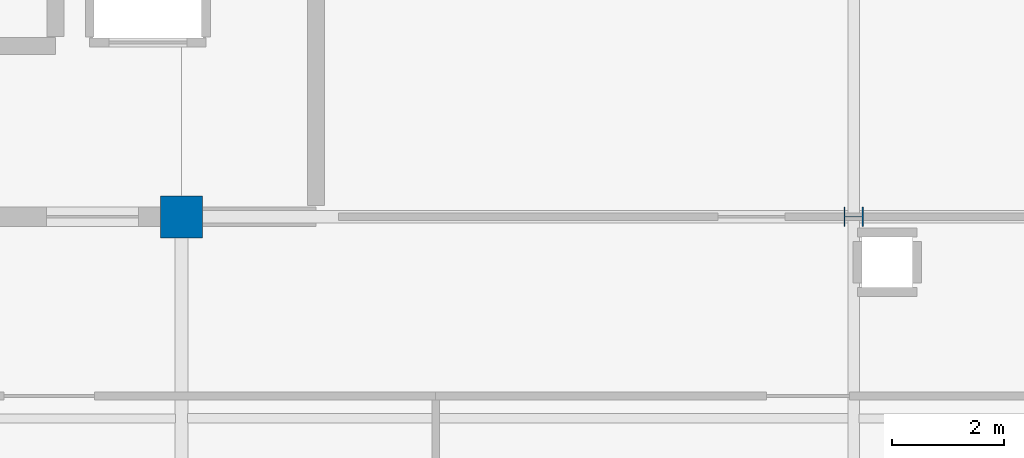
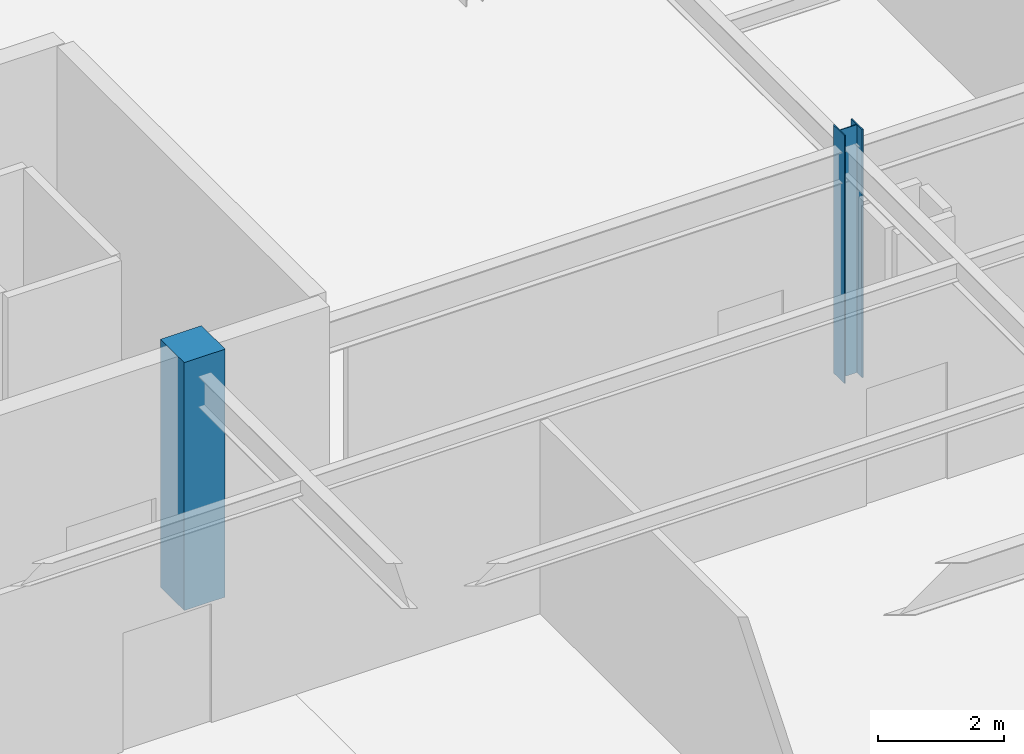
# One storey, part 43 of 226: 2 columns.
"""IFC4 building model written with IfcOpenShell, lengths in metres."""

from ifc_helpers import new_model, si_unit, direction, frame, origin, origin_2d, place, context, subcontext, project, spatial, rectangle, i_section, extrude, material, material_profile, profile_set, type_object, element, save


model = new_model("IFC4")

# Units and contexts
model_context = context("Model", 3, precision=1e-05, world=origin(), true_north=direction((0.0, 1.0)))
body_context = subcontext(model_context, "Body", "Model", "MODEL_VIEW")
ifc_project = project(units=[si_unit("LENGTHUNIT", "METRE"), si_unit("AREAUNIT", "SQUARE_METRE"), si_unit("VOLUMEUNIT", "CUBIC_METRE"), si_unit("PLANEANGLEUNIT", "RADIAN"), si_unit("MASSUNIT", "GRAM", prefix="KILO")], contexts=[model_context])

# Site, building, storey
site_placement = place(None, origin())
site = spatial("IfcSite", under=ifc_project, at=site_placement, CompositionType="ELEMENT")
building_placement = place(site_placement, origin())
building = spatial("IfcBuilding", under=site, at=building_placement, Name="Tarnwether General Hospital", CompositionType="ELEMENT")
storey_placement = place(building_placement, frame((0.0, 0.0, 4.800048828125)))
storey = spatial("IfcBuildingStorey", under=building, at=storey_placement, Name="L01", CompositionType="ELEMENT", Elevation=4.800048828125)

# Columns
ifc_material_1 = material(Name="Steel Grade 350 (350 MPa)", Category="steel")
ifc_material_profile_1 = material_profile(ifc_material_1, i_section(OverallWidth=0.35009765625, OverallDepth=0.35009765625, WebThickness=0.013916015625, FlangeThickness=0.02392578125, at=origin_2d()), Name="350WC197")
ifc_profile_set_1 = profile_set([ifc_material_profile_1], Name="Steel Grade 350 (350 MPa)")
column_type_1 = type_object("IfcColumnType", Name="COL-04", PredefinedType="COLUMN", material=ifc_profile_set_1)
column_1_placement = place(storey_placement, frame((180.0, 21.60009765625, 0.0), z_axis=(0.0, 0.0, 1.0), x_axis=(0.0, 1.0, 0.0)))
element("IfcColumn", 1, at=column_1_placement, inside=storey, type_object=column_type_1, Name="Column COLG-L01-18000_2160", PredefinedType="COLUMN", context=body_context, shape_type="SweptSolid", body=[
    extrude(i_section(OverallWidth=0.35009765625, OverallDepth=0.35009765625, WebThickness=0.013916015625, FlangeThickness=0.02392578125, at=origin_2d()), origin(), (0.0, 0.0, 1.0), 4.800048828125),
])
ifc_material_2 = material(Name="Concrete 50 MPa", Category="concrete")
ifc_material_profile_2 = material_profile(ifc_material_2, rectangle(XDim=0.75, YDim=0.75, at=origin_2d()), Name="RC-COL-750x750")
ifc_profile_set_2 = profile_set([ifc_material_profile_2], Name="Concrete 50 MPa")
column_type_2 = type_object("IfcColumnType", Name="COL-17", PredefinedType="COLUMN", material=ifc_profile_set_2)
column_2_placement = place(storey_placement, frame((168.0, 21.60009765625, 0.0), z_axis=(0.0, 0.0, 1.0), x_axis=(1.0, 0.0, 0.0)))
element("IfcColumn", 2, at=column_2_placement, inside=storey, type_object=column_type_2, Name="Column COLG-L01-16800_2160", PredefinedType="COLUMN", context=body_context, shape_type="SweptSolid", body=[
    extrude(rectangle(XDim=0.75, YDim=0.75, at=origin_2d()), origin(), (0.0, 0.0, 1.0), 4.800048828125),
])

save(model, "model.ifc")
